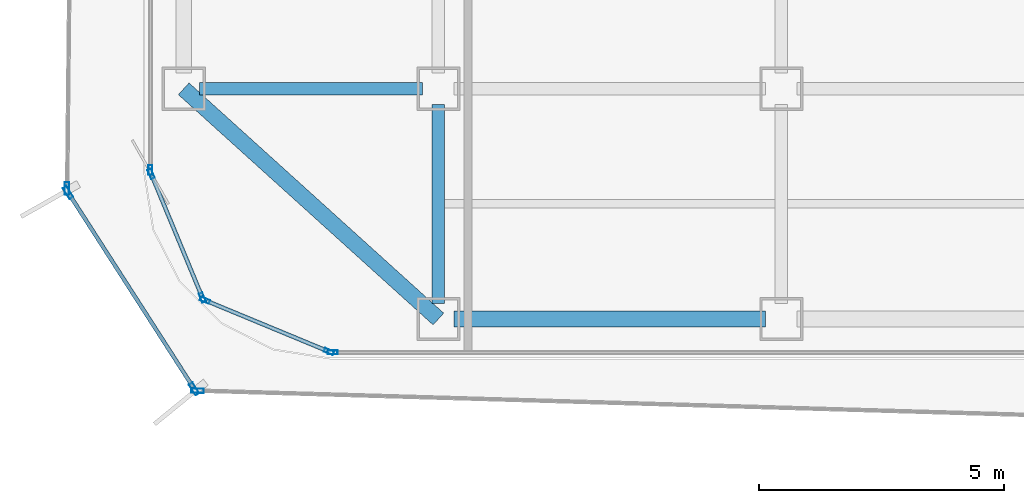
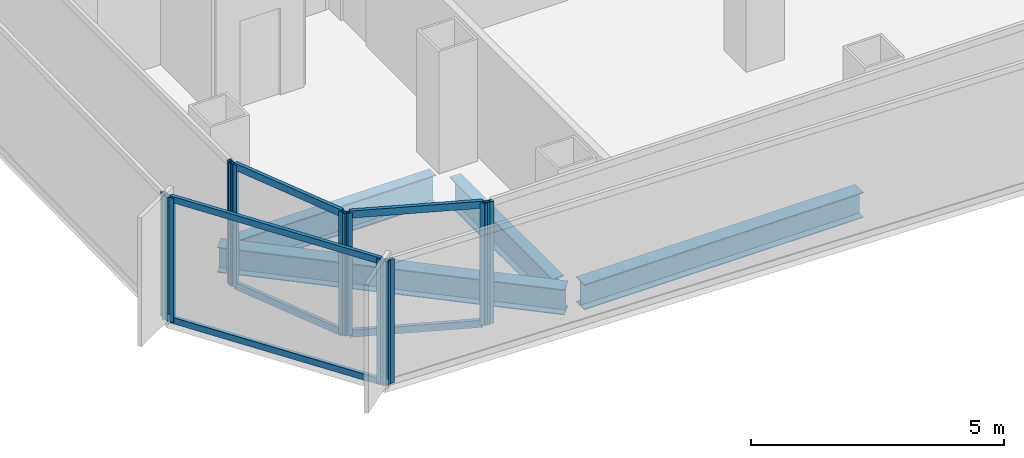
# One storey, part 2 of 21: 16 members, 4 beams, 7 elements without a shape of their own.
"""IFC4 building model written with IfcOpenShell, lengths in metres."""

from ifc_helpers import new_model, si_unit, direction, frame, origin, origin_2d, place, context, subcontext, project, spatial, hollow_rectangle, i_section, extrude, source, transform, mapped, material, layer, layer_set, material_profile, profile_set, type_object, element, aggregate, save


model = new_model("IFC4")

# Units and contexts
model_context = context("Model", 3, precision=1e-05, world=origin(), true_north=direction((0.0, 1.0)))
body_context = subcontext(model_context, "Body", "Model", "MODEL_VIEW")
ifc_project = project(units=[si_unit("LENGTHUNIT", "METRE"), si_unit("AREAUNIT", "SQUARE_METRE"), si_unit("VOLUMEUNIT", "CUBIC_METRE"), si_unit("PLANEANGLEUNIT", "RADIAN"), si_unit("MASSUNIT", "GRAM", prefix="KILO")], contexts=[model_context])

# Site, building, storey
site_placement = place(None, origin())
site = spatial("IfcSite", under=ifc_project, at=site_placement, CompositionType="ELEMENT")
building_placement = place(site_placement, origin())
building = spatial("IfcBuilding", under=site, at=building_placement, Name="Kolveth Station Tower", CompositionType="ELEMENT")
storey_placement = place(building_placement, frame((0.0, 0.0, 131.10009765625)))
storey = spatial("IfcBuildingStorey", under=building, at=storey_placement, Name="L36", CompositionType="ELEMENT", Elevation=131.10009765625)

# Beams
ifc_material_1 = material(Name="Steel S355", Category="steel")
ifc_material_profile_1 = material_profile(ifc_material_1, i_section(OverallWidth=0.323974609375, OverallDepth=0.611083984375, WebThickness=0.0126953125, FlangeThickness=0.01904296875, at=origin_2d()), Name="W610x155")
ifc_profile_set_1 = profile_set([ifc_material_profile_1], Name="Steel S355")
beam_type_1 = type_object("IfcBeamType", Name="Beam_SP2", PredefinedType="SPANDREL", material=ifc_profile_set_1)
shared_shape_1 = source(origin(), body_context, "Body", "SweptSolid", [
    extrude(i_section(OverallWidth=0.323974609375, OverallDepth=0.611083984375, WebThickness=0.0126953125, FlangeThickness=0.01904296875, at=origin_2d()), origin(), (0.0, 0.0, 1.0), 6.35986328125),
])
beam_1_placement = place(storey_placement, frame((6.320068359375, 0.800048828125, -0.5556640625), z_axis=(1.0, 0.0, 0.0), x_axis=(0.0, 1.0, 0.0)))
element("IfcBeam", 1, at=beam_1_placement, inside=storey, type_object=beam_type_1, Name="L36 Perimeter Spandrel BM-L36-PS-1", PredefinedType="SPANDREL", context=body_context, shape_type="MappedRepresentation", body=[
    mapped(shared_shape_1, transform((0.0, 0.0, 0.0), x_axis=(1.0, 0.0, 0.0), y_axis=(0.0, 1.0, 0.0), z_axis=(0.0, 0.0, 1.0), scale=1.0)),
])
shared_shape_2 = source(origin(), body_context, "Body", "SweptSolid", [
    extrude(i_section(OverallWidth=0.323974609375, OverallDepth=0.611083984375, WebThickness=0.0126953125, FlangeThickness=0.01904296875, at=origin_2d()), origin(), (0.0, 0.0, 1.0), 7.00927734375),
])
beam_2_placement = place(storey_placement, frame((0.800048828125, 5.5, -0.5556640625), z_axis=(0.741874009795, -0.670539300557, 0.0), x_axis=(0.670539300557, 0.741874009795, 0.0)))
element("IfcBeam", 2, at=beam_2_placement, inside=storey, type_object=beam_type_1, Name="L36 Corner Edge Girder BM-L36-CNR-SW", PredefinedType="SPANDREL", context=body_context, shape_type="MappedRepresentation", body=[
    mapped(shared_shape_2, transform((0.0, 0.0, 0.0), x_axis=(1.0, 0.0, 0.0), y_axis=(0.0, 1.0, 0.0), z_axis=(0.0, 0.0, 1.0), scale=1.0)),
])
ifc_material_profile_2 = material_profile(ifc_material_1, i_section(OverallWidth=0.25390625, OverallDepth=0.68798828125, WebThickness=0.01318359375, FlangeThickness=0.02099609375, at=origin_2d()), Name="W690x152")
ifc_profile_set_2 = profile_set([ifc_material_profile_2], Name="Steel S355")
beam_type_2 = type_object("IfcBeamType", Name="Beam_B4", PredefinedType="BEAM", material=ifc_profile_set_2)
shared_shape_3 = source(origin(), body_context, "Body", "SweptSolid", [
    extrude(i_section(OverallWidth=0.25390625, OverallDepth=0.68798828125, WebThickness=0.01318359375, FlangeThickness=0.02099609375, at=origin_2d()), origin(), (0.0, 0.0, 1.0), 4.559814453125),
])
beam_3_placement = place(storey_placement, frame((1.1201171875, 5.5, -0.593994140625), z_axis=(1.0, 0.0, 0.0), x_axis=(0.0, 1.0, 0.0)))
element("IfcBeam", 3, at=beam_3_placement, inside=storey, type_object=beam_type_2, Name="L36 Primary Girder BM-L36-GY55-1", PredefinedType="BEAM", context=body_context, shape_type="MappedRepresentation", body=[
    mapped(shared_shape_3, transform((0.0, 0.0, 0.0), x_axis=(1.0, 0.0, 0.0), y_axis=(0.0, 1.0, 0.0), z_axis=(0.0, 0.0, 1.0), scale=1.0)),
])
shared_shape_4 = source(origin(), body_context, "Body", "SweptSolid", [
    extrude(i_section(OverallWidth=0.25390625, OverallDepth=0.68798828125, WebThickness=0.01318359375, FlangeThickness=0.02099609375, at=origin_2d()), origin(), (0.0, 0.0, 1.0), 4.059814453125),
])
beam_4_placement = place(storey_placement, frame((6.0, 1.1201171875, -0.593994140625), z_axis=(0.0, 1.0, 0.0), x_axis=(-1.0, 0.0, 0.0)))
element("IfcBeam", 4, at=beam_4_placement, inside=storey, type_object=beam_type_2, Name="L36 Primary Girder BM-L36-GX60-1", PredefinedType="BEAM", context=body_context, shape_type="MappedRepresentation", body=[
    mapped(shared_shape_4, transform((0.0, 0.0, 0.0), x_axis=(1.0, 0.0, 0.0), y_axis=(0.0, 1.0, 0.0), z_axis=(0.0, 0.0, 1.0), scale=1.0)),
])

# Curtain wall, member
ifc_material_2 = material(Name="Aluminium 6063-T6 and low-E dark glass", Category="aluminium")
ifc_layer_1 = layer(ifc_material_2, 0.18994140625)
ifc_layer_set_1 = layer_set([ifc_layer_1], Name="Aluminium 6063-T6 and low-E dark glass")
curtain_wall_type_1 = type_object("IfcCurtainWallType", Name="CurtainWall_CW-Z2", PredefinedType="NOTDEFINED", material=ifc_layer_set_1)
curtain_wall_1_placement = place(storey_placement, origin())
curtain_wall_1 = element("IfcCurtainWall", 5, at=curtain_wall_1_placement, inside=storey, type_object=curtain_wall_type_1, Name="L36 Inner Thermal Curtain Wall 9", PredefinedType="NOTDEFINED")
ifc_material_3 = material(Name="Black anodized aluminium 6063-T6", Category="aluminium")
ifc_material_profile_3 = material_profile(ifc_material_3, hollow_rectangle(XDim=0.080078125, YDim=0.199951171875, WallThickness=0.0048828125, at=origin_2d()), Name="ALU-80x200x5")
ifc_profile_set_3 = profile_set([ifc_material_profile_3], Name="Black anodized aluminium 6063-T6")
member_type_1 = type_object("IfcMemberType", Name="Mullion_ML2", PredefinedType="MULLION", material=ifc_profile_set_3)
shared_shape_5 = source(origin(), body_context, "Body", "SweptSolid", [
    extrude(hollow_rectangle(XDim=0.080078125, YDim=0.199951171875, WallThickness=0.0048828125, at=origin_2d()), origin(), (0.0, 0.0, 1.0), 2.949951171875),
])
member_1_placement = place(storey_placement, frame((0.1201171875, 3.840087890625, 0.0), z_axis=(0.0, 0.0, 1.0), x_axis=(1.0, 0.0, 0.0)))
member_1 = element("IfcMember", 6, at=member_1_placement, type_object=member_type_1, Name="CW-Z2 mullion 2", PredefinedType="MULLION", context=body_context, shape_type="MappedRepresentation", body=[
    mapped(shared_shape_5, transform((0.0, 0.0, 0.0), x_axis=(1.0, 0.0, 0.0), y_axis=(0.0, 1.0, 0.0), z_axis=(0.0, 0.0, 1.0), scale=1.0)),
])
aggregate(curtain_wall_1, [member_1])

# Curtain wall, members
curtain_wall_2_placement = place(storey_placement, origin())
curtain_wall_2 = element("IfcCurtainWall", 7, at=curtain_wall_2_placement, inside=storey, type_object=curtain_wall_type_1, Name="L36 Inner Thermal Curtain Wall 10", PredefinedType="NOTDEFINED")
member_2_placement = place(storey_placement, frame((0.13525390625, 3.762939453125, 0.0), z_axis=(0.0, 0.0, 1.0), x_axis=(0.923887883787, 0.38266326998, 0.0)))
member_2 = element("IfcMember", 8, at=member_2_placement, type_object=member_type_1, Name="CW-Z2 mullion 1", PredefinedType="MULLION", context=body_context, shape_type="MappedRepresentation", body=[
    mapped(shared_shape_5, transform((0.0, 0.0, 0.0), x_axis=(1.0, 0.0, 0.0), y_axis=(0.0, 1.0, 0.0), z_axis=(0.0, 0.0, 1.0), scale=1.0)),
])
member_3_placement = place(storey_placement, frame((1.182373046875, 1.23486328125, 0.0), z_axis=(0.0, 0.0, 1.0), x_axis=(0.923887883787, 0.38266326998, 0.0)))
member_3 = element("IfcMember", 9, at=member_3_placement, type_object=member_type_1, Name="CW-Z2 mullion 2", PredefinedType="MULLION", context=body_context, shape_type="MappedRepresentation", body=[
    mapped(shared_shape_5, transform((0.0, 0.0, 0.0), x_axis=(1.0, 0.0, 0.0), y_axis=(0.0, 1.0, 0.0), z_axis=(0.0, 0.0, 1.0), scale=1.0)),
])

curtain_wall_3_placement = place(storey_placement, origin())
curtain_wall_3 = element("IfcCurtainWall", 10, at=curtain_wall_3_placement, inside=storey, type_object=curtain_wall_type_1, Name="L36 Inner Thermal Curtain Wall 11", PredefinedType="NOTDEFINED")
member_4_placement = place(storey_placement, frame((1.23486328125, 1.182373046875, 0.0), z_axis=(0.0, 0.0, 1.0), x_axis=(0.38266326998, 0.923887883787, 0.0)))
member_4 = element("IfcMember", 11, at=member_4_placement, type_object=member_type_1, Name="CW-Z2 mullion 1", PredefinedType="MULLION", context=body_context, shape_type="MappedRepresentation", body=[
    mapped(shared_shape_5, transform((0.0, 0.0, 0.0), x_axis=(1.0, 0.0, 0.0), y_axis=(0.0, 1.0, 0.0), z_axis=(0.0, 0.0, 1.0), scale=1.0)),
])
member_5_placement = place(storey_placement, frame((3.762939453125, 0.13525390625, 0.0), z_axis=(0.0, 0.0, 1.0), x_axis=(0.38266326998, 0.923887883787, 0.0)))
member_5 = element("IfcMember", 12, at=member_5_placement, type_object=member_type_1, Name="CW-Z2 mullion 2", PredefinedType="MULLION", context=body_context, shape_type="MappedRepresentation", body=[
    mapped(shared_shape_5, transform((0.0, 0.0, 0.0), x_axis=(1.0, 0.0, 0.0), y_axis=(0.0, 1.0, 0.0), z_axis=(0.0, 0.0, 1.0), scale=1.0)),
])

# Curtain wall, member
curtain_wall_4_placement = place(storey_placement, origin())
curtain_wall_4 = element("IfcCurtainWall", 13, at=curtain_wall_4_placement, inside=storey, type_object=curtain_wall_type_1, Name="L36 Inner Thermal Curtain Wall 12", PredefinedType="NOTDEFINED")
member_6_placement = place(storey_placement, frame((3.840087890625, 0.1201171875, 0.0), z_axis=(0.0, 0.0, 1.0), x_axis=(0.0, 1.0, 0.0)))
member_6 = element("IfcMember", 14, at=member_6_placement, type_object=member_type_1, Name="CW-Z2 mullion 1", PredefinedType="MULLION", context=body_context, shape_type="MappedRepresentation", body=[
    mapped(shared_shape_5, transform((0.0, 0.0, 0.0), x_axis=(1.0, 0.0, 0.0), y_axis=(0.0, 1.0, 0.0), z_axis=(0.0, 0.0, 1.0), scale=1.0)),
])
aggregate(curtain_wall_4, [member_6])

# Member
ifc_material_profile_4 = material_profile(ifc_material_3, hollow_rectangle(XDim=0.080078125, YDim=0.169921875, WallThickness=0.0048828125, at=origin_2d()), Name="ALU-80x170x5")
ifc_profile_set_4 = profile_set([ifc_material_profile_4], Name="Black anodized aluminium 6063-T6")
member_type_2 = type_object("IfcMemberType", Name="Transom_TR2", PredefinedType="USERDEFINED", material=ifc_profile_set_4)
shared_shape_6 = source(origin(), body_context, "Body", "SweptSolid", [
    extrude(hollow_rectangle(XDim=0.080078125, YDim=0.169921875, WallThickness=0.0048828125, at=origin_2d()), origin(), (0.0, 0.0, 1.0), 2.656494140625),
])
member_7_placement = place(storey_placement, frame((0.150634765625, 3.72607421875, 0.039794921875), z_axis=(0.382676455475, -0.923882422403, 0.0), x_axis=(0.923882422403, 0.382676455475, 0.0)))
member_7 = element("IfcMember", 15, at=member_7_placement, type_object=member_type_2, Name="CW-Z2 transom 1.1", ObjectType="TRANSOM", PredefinedType="USERDEFINED", context=body_context, shape_type="MappedRepresentation", body=[
    mapped(shared_shape_6, transform((0.0, 0.0, 0.0), x_axis=(1.0, 0.0, 0.0), y_axis=(0.0, 1.0, 0.0), z_axis=(0.0, 0.0, 1.0), scale=1.0)),
])

member_8_placement = place(storey_placement, frame((0.150634765625, 3.72607421875, 2.909912109375), z_axis=(0.382676455475, -0.923882422403, 0.0), x_axis=(0.923882422403, 0.382676455475, 0.0)))
member_8 = element("IfcMember", 16, at=member_8_placement, type_object=member_type_2, Name="CW-Z2 transom 1.2", ObjectType="TRANSOM", PredefinedType="USERDEFINED", context=body_context, shape_type="MappedRepresentation", body=[
    mapped(shared_shape_6, transform((0.0, 0.0, 0.0), x_axis=(1.0, 0.0, 0.0), y_axis=(0.0, 1.0, 0.0), z_axis=(0.0, 0.0, 1.0), scale=1.0)),
])

aggregate(curtain_wall_2, [member_2, member_3, member_7, member_8])

member_9_placement = place(storey_placement, frame((1.271728515625, 1.167236328125, 0.039794921875), z_axis=(0.923882422403, -0.382676455475, 0.0), x_axis=(0.382676455475, 0.923882422403, 0.0)))
member_9 = element("IfcMember", 17, at=member_9_placement, type_object=member_type_2, Name="CW-Z2 transom 1.1", ObjectType="TRANSOM", PredefinedType="USERDEFINED", context=body_context, shape_type="MappedRepresentation", body=[
    mapped(shared_shape_6, transform((0.0, 0.0, 0.0), x_axis=(1.0, 0.0, 0.0), y_axis=(0.0, 1.0, 0.0), z_axis=(0.0, 0.0, 1.0), scale=1.0)),
])

member_10_placement = place(storey_placement, frame((1.271728515625, 1.167236328125, 2.909912109375), z_axis=(0.923882422403, -0.382676455475, 0.0), x_axis=(0.382676455475, 0.923882422403, 0.0)))
member_10 = element("IfcMember", 18, at=member_10_placement, type_object=member_type_2, Name="CW-Z2 transom 1.2", ObjectType="TRANSOM", PredefinedType="USERDEFINED", context=body_context, shape_type="MappedRepresentation", body=[
    mapped(shared_shape_6, transform((0.0, 0.0, 0.0), x_axis=(1.0, 0.0, 0.0), y_axis=(0.0, 1.0, 0.0), z_axis=(0.0, 0.0, 1.0), scale=1.0)),
])

aggregate(curtain_wall_3, [member_4, member_5, member_9, member_10])

# Curtain wall, member
ifc_material_4 = material(Name="Black anodized aluminium 6063-T6 and dark solar glass", Category="aluminium")
ifc_layer_2 = layer(ifc_material_4, 0.159912109375)
ifc_layer_set_2 = layer_set([ifc_layer_2], Name="Black anodized aluminium 6063-T6 and dark solar glass")
curtain_wall_type_2 = type_object("IfcCurtainWallType", Name="OUTER SKIN CW-OS", PredefinedType="NOTDEFINED", material=ifc_layer_set_2)
curtain_wall_5_placement = place(storey_placement, origin())
curtain_wall_5 = element("IfcCurtainWall", 19, at=curtain_wall_5_placement, inside=storey, type_object=curtain_wall_type_2, Name="L36 Outer Ventilated Skin Curtain Wall 6", PredefinedType="NOTDEFINED")
ifc_material_profile_5 = material_profile(ifc_material_3, hollow_rectangle(XDim=0.090087890625, YDim=0.260009765625, WallThickness=0.0048828125, at=origin_2d()), Name="ALU-90x260x5")
ifc_profile_set_5 = profile_set([ifc_material_profile_5], Name="Black anodized aluminium 6063-T6")
member_type_3 = type_object("IfcMemberType", Name="FIN MULLION ML-OS", PredefinedType="MULLION", material=ifc_profile_set_5)
shared_shape_7 = source(origin(), body_context, "Body", "SweptSolid", [
    extrude(hollow_rectangle(XDim=0.090087890625, YDim=0.260009765625, WallThickness=0.0048828125, at=origin_2d()), origin(), (0.0, 0.0, 1.0), 2.989990234375),
])
member_11_placement = place(storey_placement, frame((-1.58447265625, 3.4658203125, 0.0), z_axis=(0.0, 0.0, 1.0), x_axis=(0.999942609448, -0.010713440661, 0.0)))
member_11 = element("IfcMember", 20, at=member_11_placement, type_object=member_type_3, Name="CW-OS mullion 2", PredefinedType="MULLION", context=body_context, shape_type="MappedRepresentation", body=[
    mapped(shared_shape_7, transform((0.0, 0.0, 0.0), x_axis=(1.0, 0.0, 0.0), y_axis=(0.0, 1.0, 0.0), z_axis=(0.0, 0.0, 1.0), scale=1.0)),
])
aggregate(curtain_wall_5, [member_11])

# Curtain wall, members
curtain_wall_6_placement = place(storey_placement, origin())
curtain_wall_6 = element("IfcCurtainWall", 21, at=curtain_wall_6_placement, inside=storey, type_object=curtain_wall_type_2, Name="L36 Outer Ventilated Skin Curtain Wall 7", PredefinedType="NOTDEFINED")
member_12_placement = place(storey_placement, frame((-1.560546875, 3.383056640625, 0.0), z_axis=(0.0, 0.0, 1.0), x_axis=(0.841496902352, 0.540261939555, 0.0)))
member_12 = element("IfcMember", 22, at=member_12_placement, type_object=member_type_3, Name="CW-OS mullion 1", PredefinedType="MULLION", context=body_context, shape_type="MappedRepresentation", body=[
    mapped(shared_shape_7, transform((0.0, 0.0, 0.0), x_axis=(1.0, 0.0, 0.0), y_axis=(0.0, 1.0, 0.0), z_axis=(0.0, 0.0, 1.0), scale=1.0)),
])
member_13_placement = place(storey_placement, frame((1.013671875, -0.62646484375, 0.0), z_axis=(0.0, 0.0, 1.0), x_axis=(0.841496902352, 0.540261939555, 0.0)))
member_13 = element("IfcMember", 23, at=member_13_placement, type_object=member_type_3, Name="CW-OS mullion 2", PredefinedType="MULLION", context=body_context, shape_type="MappedRepresentation", body=[
    mapped(shared_shape_7, transform((0.0, 0.0, 0.0), x_axis=(1.0, 0.0, 0.0), y_axis=(0.0, 1.0, 0.0), z_axis=(0.0, 0.0, 1.0), scale=1.0)),
])

# Curtain wall, member
curtain_wall_7_placement = place(storey_placement, origin())
curtain_wall_7 = element("IfcCurtainWall", 24, at=curtain_wall_7_placement, inside=storey, type_object=curtain_wall_type_2, Name="L36 Outer Ventilated Skin Curtain Wall 8", PredefinedType="NOTDEFINED")
member_14_placement = place(storey_placement, frame((1.082763671875, -0.66552734375, 0.0), z_axis=(0.0, 0.0, 1.0), x_axis=(0.029233594346, 0.999572607148, 0.0)))
member_14 = element("IfcMember", 25, at=member_14_placement, type_object=member_type_3, Name="CW-OS mullion 1", PredefinedType="MULLION", context=body_context, shape_type="MappedRepresentation", body=[
    mapped(shared_shape_7, transform((0.0, 0.0, 0.0), x_axis=(1.0, 0.0, 0.0), y_axis=(0.0, 1.0, 0.0), z_axis=(0.0, 0.0, 1.0), scale=1.0)),
])
aggregate(curtain_wall_7, [member_14])

# Member
ifc_material_profile_6 = material_profile(ifc_material_3, hollow_rectangle(XDim=0.080078125, YDim=0.14990234375, WallThickness=0.0048828125, at=origin_2d()), Name="ALU-80x150x5")
ifc_profile_set_6 = profile_set([ifc_material_profile_6], Name="Black anodized aluminium 6063-T6")
member_type_4 = type_object("IfcMemberType", Name="Transom_TR-OS", PredefinedType="USERDEFINED", material=ifc_profile_set_6)
shared_shape_8 = source(origin(), body_context, "Body", "SweptSolid", [
    extrude(hollow_rectangle(XDim=0.080078125, YDim=0.14990234375, WallThickness=0.0048828125, at=origin_2d()), origin(), (0.0, 0.0, 1.0), 4.6748046875),
])
member_15_placement = place(storey_placement, frame((-1.536376953125, 3.34521484375, 0.039794921875), z_axis=(0.540263909375, -0.841495637676, 0.0), x_axis=(0.841495637676, 0.540263909375, 0.0)))
member_15 = element("IfcMember", 26, at=member_15_placement, type_object=member_type_4, Name="CW-OS transom 1.1", ObjectType="TRANSOM", PredefinedType="USERDEFINED", context=body_context, shape_type="MappedRepresentation", body=[
    mapped(shared_shape_8, transform((0.0, 0.0, 0.0), x_axis=(1.0, 0.0, 0.0), y_axis=(0.0, 1.0, 0.0), z_axis=(0.0, 0.0, 1.0), scale=1.0)),
])

member_16_placement = place(storey_placement, frame((-1.536376953125, 3.34521484375, 2.949951171875), z_axis=(0.540263909375, -0.841495637676, 0.0), x_axis=(0.841495637676, 0.540263909375, 0.0)))
member_16 = element("IfcMember", 27, at=member_16_placement, type_object=member_type_4, Name="CW-OS transom 1.2", ObjectType="TRANSOM", PredefinedType="USERDEFINED", context=body_context, shape_type="MappedRepresentation", body=[
    mapped(shared_shape_8, transform((0.0, 0.0, 0.0), x_axis=(1.0, 0.0, 0.0), y_axis=(0.0, 1.0, 0.0), z_axis=(0.0, 0.0, 1.0), scale=1.0)),
])

aggregate(curtain_wall_6, [member_12, member_13, member_15, member_16])

save(model, "model.ifc")
